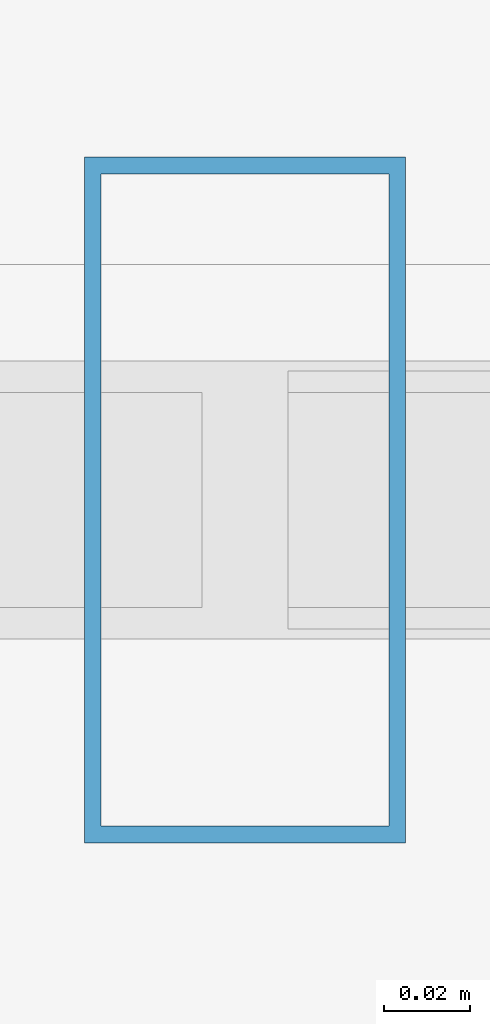
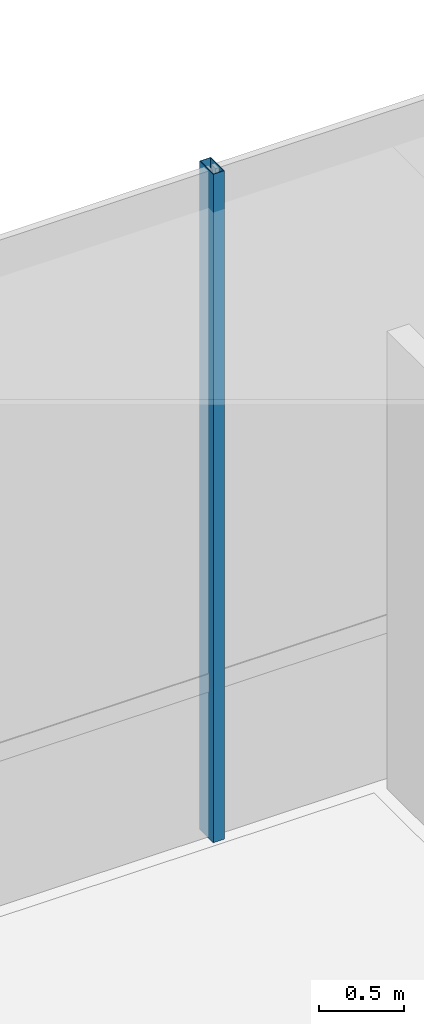
# One storey, part 16 of 39: 1 member, 1 element without a shape of its own.
"""IFC4 building model written with IfcOpenShell, lengths in metres."""

from ifc_helpers import new_model, si_unit, direction, frame, origin, origin_2d, place, context, subcontext, project, spatial, hollow_rectangle, extrude, source, transform, mapped, material, material_profile, profile_set, type_object, element, aggregate, save


model = new_model("IFC4")

# Units and contexts
model_context = context("Model", 3, precision=1e-05, world=origin(), true_north=direction((0.0, 1.0)))
body_context = subcontext(model_context, "Body", "Model", "MODEL_VIEW")
ifc_project = project(units=[si_unit("LENGTHUNIT", "METRE"), si_unit("AREAUNIT", "SQUARE_METRE"), si_unit("VOLUMEUNIT", "CUBIC_METRE"), si_unit("PLANEANGLEUNIT", "RADIAN"), si_unit("MASSUNIT", "GRAM", prefix="KILO")], contexts=[model_context])

# Site, building, storey
site_placement = place(None, origin())
site = spatial("IfcSite", under=ifc_project, at=site_placement, CompositionType="ELEMENT")
building_placement = place(site_placement, origin())
building = spatial("IfcBuilding", under=site, at=building_placement, Name="Valdorenza Pilgrim Sanctuary Tower", CompositionType="ELEMENT")
storey_placement = place(building_placement, frame((0.0, 0.0, 15.60009765625)))
storey = spatial("IfcBuildingStorey", under=building, at=storey_placement, Name="L03", CompositionType="ELEMENT", Elevation=15.60009765625)

# Curtain wall, member
ifc_material_1 = material(Name="Curtain-wall IGU glazing", Category="glass")
curtain_wall_type = type_object("IfcCurtainWallType", Name="CW-SYS-01", PredefinedType="NOTDEFINED", material=ifc_material_1)
curtain_wall_placement = place(storey_placement, origin())
curtain_wall = element("IfcCurtainWall", 1, at=curtain_wall_placement, inside=storey, type_object=curtain_wall_type, Name="L03 Curtain Wall CW-POD-L03-NN", PredefinedType="NOTDEFINED")
ifc_material_2 = material(Name="Anodised aluminium AW-6060", Category="aluminium")
ifc_material_profile = material_profile(ifc_material_2, hollow_rectangle(XDim=0.074951171875, YDim=0.159912109375, WallThickness=0.00390625, at=origin_2d()), Name="ALU-M 160x75x4")
ifc_profile_set = profile_set([ifc_material_profile], Name="Anodised aluminium AW-6060")
member_type = type_object("IfcMemberType", Name="CW-MUL-01", PredefinedType="MULLION", material=ifc_profile_set)
shared_shape = source(origin(), body_context, "Body", "SweptSolid", [
    extrude(hollow_rectangle(XDim=0.074951171875, YDim=0.159912109375, WallThickness=0.00390625, at=origin_2d()), origin(), (0.0, 0.0, 1.0), 4.7998046875),
])
member_placement = place(storey_placement, frame((0.0, 22.85009765625, 0.0), z_axis=(0.0, 0.0, 1.0), x_axis=(1.0, 0.0, 0.0)))
member = element("IfcMember", 2, at=member_placement, type_object=member_type, Name="CW-POD-L03-NN Mullion 3", PredefinedType="MULLION", context=body_context, shape_type="MappedRepresentation", body=[
    mapped(shared_shape, transform((0.0, 0.0, 0.0), x_axis=(1.0, 0.0, 0.0), y_axis=(0.0, 1.0, 0.0), z_axis=(0.0, 0.0, 1.0), scale=1.0)),
])
aggregate(curtain_wall, [member])

save(model, "model.ifc")
